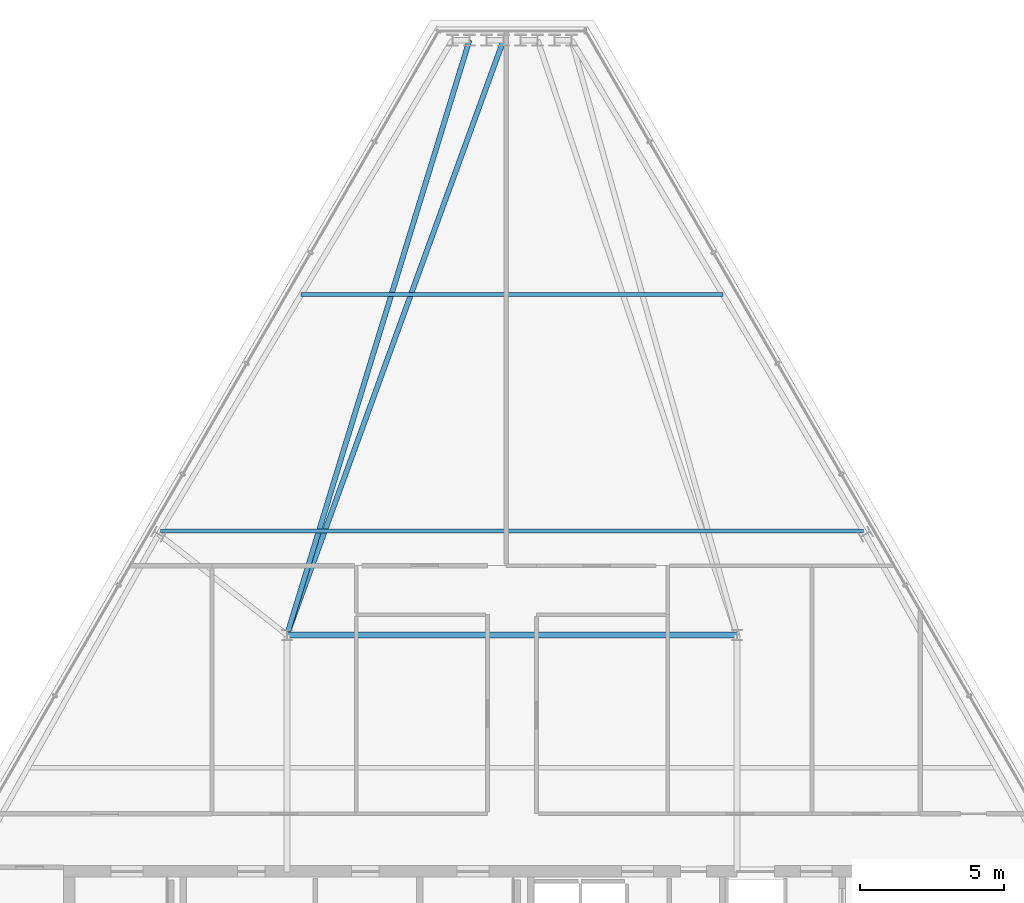
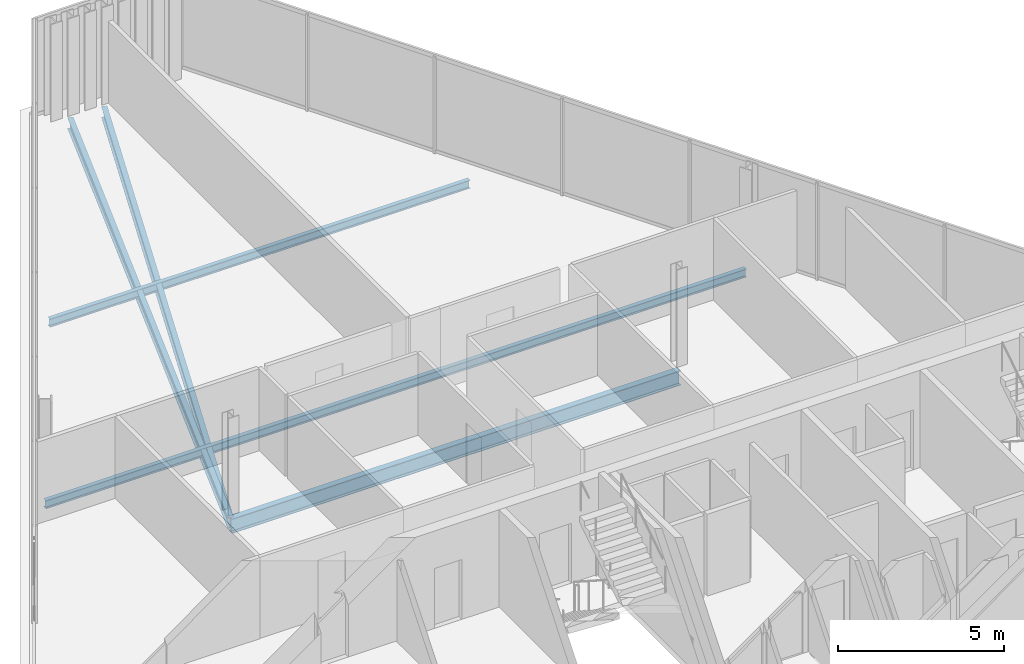
# One storey, part 18 of 35: 5 beams.
"""IFC4 building model written with IfcOpenShell, lengths in metres."""

from ifc_helpers import new_model, si_unit, direction, frame, origin, origin_2d, place, context, subcontext, project, spatial, i_section, extrude, material, material_profile, profile_set, type_object, element, save


model = new_model("IFC4")

# Units and contexts
model_context = context("Model", 3, precision=1e-05, world=origin(), true_north=direction((0.0, 1.0)))
body_context = subcontext(model_context, "Body", "Model", "MODEL_VIEW")
ifc_project = project(units=[si_unit("LENGTHUNIT", "METRE"), si_unit("AREAUNIT", "SQUARE_METRE"), si_unit("VOLUMEUNIT", "CUBIC_METRE"), si_unit("PLANEANGLEUNIT", "RADIAN"), si_unit("MASSUNIT", "GRAM", prefix="KILO")], contexts=[model_context])

# Site, building, storey
site_placement = place(None, origin())
site = spatial("IfcSite", under=ifc_project, at=site_placement, CompositionType="ELEMENT")
building_placement = place(site_placement, origin())
building = spatial("IfcBuilding", under=site, at=building_placement, Name="Ndaravel Arena Tower", CompositionType="ELEMENT")
storey_placement = place(building_placement, frame((0.0, 0.0, 271.199951171875)))
storey = spatial("IfcBuildingStorey", under=building, at=storey_placement, Name="L66", CompositionType="ELEMENT", Elevation=271.199951171875)

# Beams
ifc_material_1 = material(Name="Steel S355", Category="steel")
ifc_material_profile_1 = material_profile(ifc_material_1, i_section(OverallWidth=0.1787109375, OverallDepth=0.409423828125, WebThickness=0.0087890625, FlangeThickness=0.014404296875, FilletRadius=0.01025390625, at=origin_2d()), Name="UB 406x178x67")
ifc_profile_set_1 = profile_set([ifc_material_profile_1], Name="Steel S355")
beam_type_1 = type_object("IfcBeamType", Name="BM-GIRD-UB406", PredefinedType="BEAM", material=ifc_profile_set_1)
beam_1_placement = place(storey_placement, frame((41.705078125, 43.818115234375, -0.424560546875), z_axis=(-0.342049479082, -0.939681942925, 0.0), x_axis=(0.939681942925, -0.342049479082, 0.0)))
element("IfcBeam", 1, at=beam_1_placement, inside=storey, type_object=beam_type_1, Name="L66 Radial Floor Girder FG-15", PredefinedType="BEAM", context=body_context, shape_type="SweptSolid", body=[
    extrude(i_section(OverallWidth=0.1787109375, OverallDepth=0.409423828125, WebThickness=0.0087890625, FlangeThickness=0.014404296875, FilletRadius=0.01025390625, at=origin_2d()), origin(), (0.0, 0.0, 1.0), 21.941650390625),
])
beam_2_placement = place(storey_placement, frame((40.52490234375, 43.818115234375, -0.424560546875), z_axis=(-0.293276735025, -0.956027592015, 0.0), x_axis=(0.956027592015, -0.293276735025, 0.0)))
element("IfcBeam", 2, at=beam_2_placement, inside=storey, type_object=beam_type_1, Name="L66 Radial Floor Girder FG-17", PredefinedType="BEAM", context=body_context, shape_type="SweptSolid", body=[
    extrude(i_section(OverallWidth=0.1787109375, OverallDepth=0.409423828125, WebThickness=0.0087890625, FlangeThickness=0.014404296875, FilletRadius=0.01025390625, at=origin_2d()), origin(), (0.0, 0.0, 1.0), 21.56640625),
])
ifc_material_2 = material(Name="Steel S355", Category="steel")
ifc_material_profile_2 = material_profile(ifc_material_2, i_section(OverallWidth=0.210693359375, OverallDepth=0.53955078125, WebThickness=0.01171875, FlangeThickness=0.018798828125, FilletRadius=0.0126953125, at=origin_2d()), Name="UB 533x210x109")
ifc_profile_set_2 = profile_set([ifc_material_profile_2], Name="Steel S355")
beam_type_2 = type_object("IfcBeamType", Name="BM-GIRD-UB533", PredefinedType="BEAM", material=ifc_profile_set_2)
beam_3_placement = place(storey_placement, frame((34.199951171875, 23.199951171875, -0.48974609375), z_axis=(1.0, 0.0, 0.0), x_axis=(0.0, 1.0, 0.0)))
element("IfcBeam", 3, at=beam_3_placement, inside=storey, type_object=beam_type_2, Name="L66 Spine Link Girder SLG-03", PredefinedType="BEAM", context=body_context, shape_type="SweptSolid", body=[
    extrude(i_section(OverallWidth=0.210693359375, OverallDepth=0.53955078125, WebThickness=0.01171875, FlangeThickness=0.018798828125, FilletRadius=0.0126953125, at=origin_2d()), origin(), (0.0, 0.0, 1.0), 15.60009765625),
])
ifc_material_3 = material(Name="Steel S355", Category="steel")
ifc_material_profile_3 = material_profile(ifc_material_3, i_section(OverallWidth=0.14990234375, OverallDepth=0.300048828125, WebThickness=0.007080078125, FlangeThickness=0.0107421875, FilletRadius=0.014892578125, at=origin_2d()), Name="IPE 300")
ifc_profile_set_3 = profile_set([ifc_material_profile_3], Name="Steel S355")
beam_type_3 = type_object("IfcBeamType", Name="BM-JOIST-IPE300", PredefinedType="JOIST", material=ifc_profile_set_3)
beam_4_placement = place(storey_placement, frame((29.81640625, 26.800048828125, -0.369873046875), z_axis=(1.0, 0.0, 0.0), x_axis=(0.0, 1.0, 0.0)))
element("IfcBeam", 4, at=beam_4_placement, inside=storey, type_object=beam_type_3, Name="L66 Composite Floor Joist FJ-02", PredefinedType="JOIST", context=body_context, shape_type="SweptSolid", body=[
    extrude(i_section(OverallWidth=0.14990234375, OverallDepth=0.300048828125, WebThickness=0.007080078125, FlangeThickness=0.0107421875, FilletRadius=0.014892578125, at=origin_2d()), origin(), (0.0, 0.0, 1.0), 24.3671875),
])
beam_5_placement = place(storey_placement, frame((34.69189453125, 35.0, -0.369873046875), z_axis=(1.0, 0.0, 0.0), x_axis=(0.0, 1.0, 0.0)))
element("IfcBeam", 5, at=beam_5_placement, inside=storey, type_object=beam_type_3, Name="L66 Composite Floor Joist FJ-03", PredefinedType="JOIST", context=body_context, shape_type="SweptSolid", body=[
    extrude(i_section(OverallWidth=0.14990234375, OverallDepth=0.300048828125, WebThickness=0.007080078125, FlangeThickness=0.0107421875, FilletRadius=0.014892578125, at=origin_2d()), origin(), (0.0, 0.0, 1.0), 14.6162109375),
])

save(model, "model.ifc")
